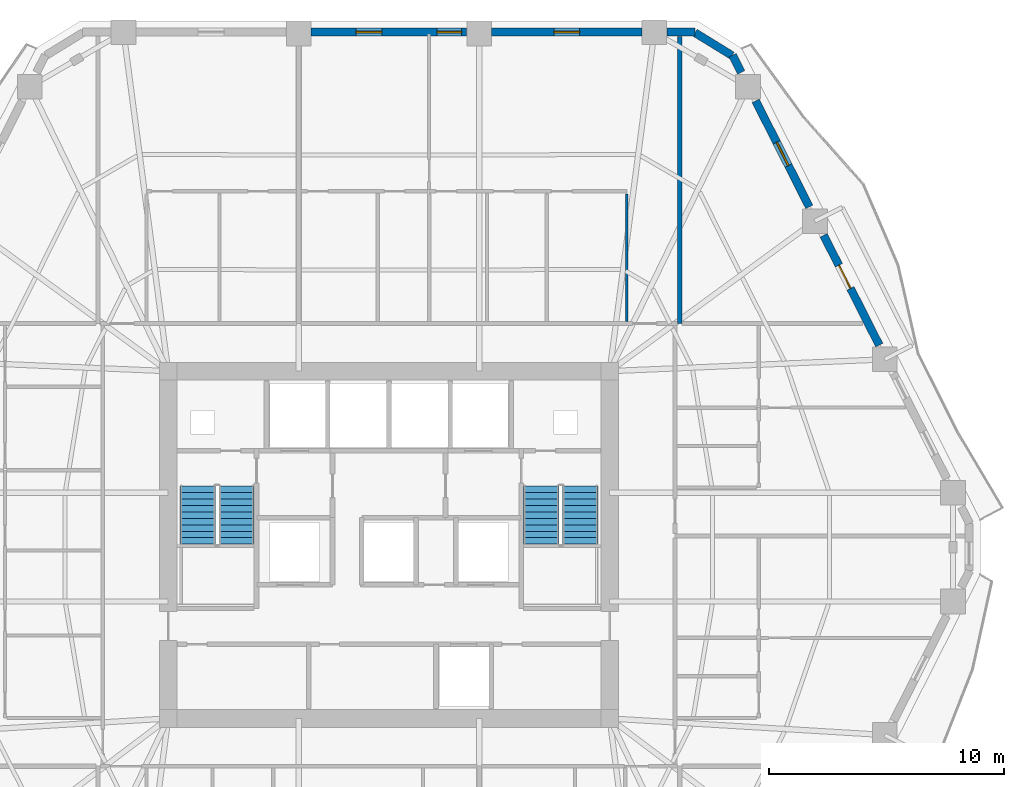
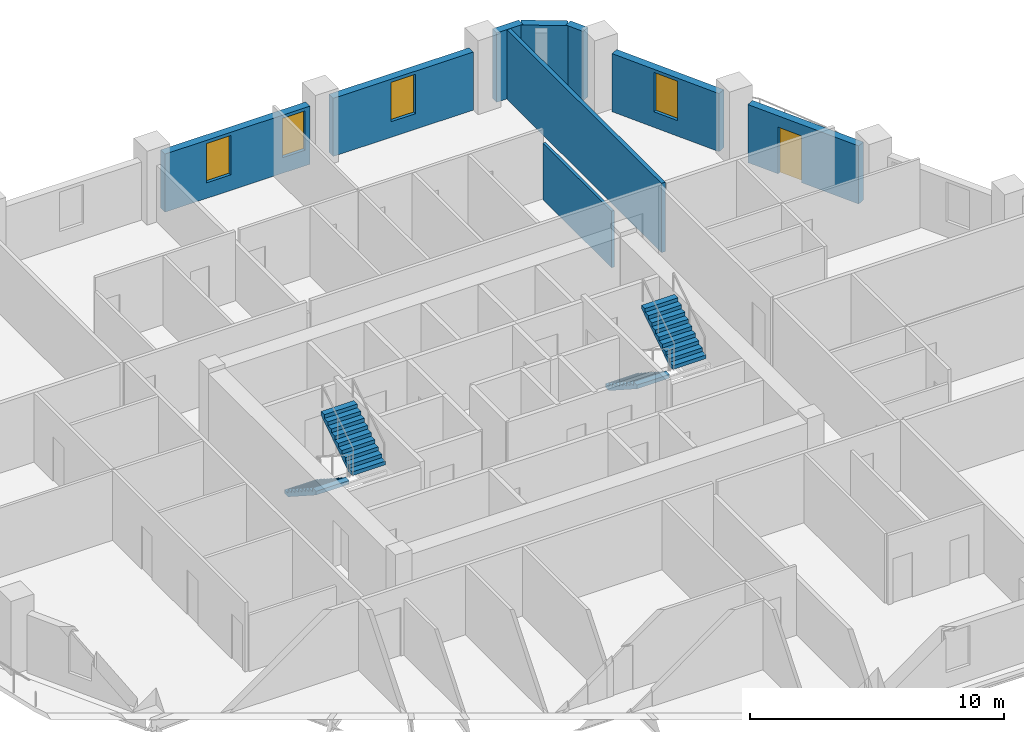
# One storey, part 8 of 11: 9 walls, 4 stair flights, 4 windows, 1 door, 5 openings, 2 elements without a shape of their own.
"""IFC4 building model written with IfcOpenShell, lengths in metres."""

from ifc_helpers import new_model, si_unit, direction, frame, frame_2d, origin, place, context, subcontext, project, spatial, polyline, rectangle, outline, extrude, material, layer, layer_set, type_object, element, fill, aggregate, save


model = new_model("IFC4")

# Units and contexts
model_context = context("Model", 3, precision=1e-05, world=origin(), true_north=direction((0.0, 1.0)))
body_context = subcontext(model_context, "Body", "Model", "MODEL_VIEW")
ifc_project = project(units=[si_unit("LENGTHUNIT", "METRE"), si_unit("AREAUNIT", "SQUARE_METRE"), si_unit("VOLUMEUNIT", "CUBIC_METRE"), si_unit("PLANEANGLEUNIT", "RADIAN"), si_unit("MASSUNIT", "GRAM", prefix="KILO")], contexts=[model_context])

# Site, building, storey
site_placement = place(None, origin())
site = spatial("IfcSite", under=ifc_project, at=site_placement, CompositionType="ELEMENT")
building_placement = place(site_placement, origin())
building = spatial("IfcBuilding", under=site, at=building_placement, Name="Cinnabar Lancet Tower", CompositionType="ELEMENT")
storey_placement = place(building_placement, frame((0.0, 0.0, 101.949951171875)))
storey = spatial("IfcBuildingStorey", under=building, at=storey_placement, Name="L26", CompositionType="ELEMENT", Elevation=101.949951171875)

# Walls
ifc_material_1 = material(Name="Fire-rated twin-frame acoustic drywall", Category="gypsum")
ifc_layer_1 = layer(ifc_material_1, 0.179931640625)
ifc_layer_set_1 = layer_set([ifc_layer_1], Name="Fire-rated twin-frame acoustic drywall")
wall_type_1 = type_object("IfcWallType", Name="ARC-WL-PARTY-180", PredefinedType="PARTITIONING", material=ifc_layer_set_1)
wall_1_placement = place(storey_placement, frame((44.75, 35.300048828125, 0.0), z_axis=(0.0, 0.0, 1.0), x_axis=(0.0, 1.0, 0.0)))
element("IfcWall", 1, at=wall_1_placement, inside=storey, type_object=wall_type_1, Name="PW-L26-NPTY-448", PredefinedType="PARTITIONING", context=body_context, shape_type="SweptSolid", body=[
    extrude(rectangle(XDim=12.195068359375, YDim=0.179931640625, at=frame_2d((6.09765625, 0.0))), origin(), (0.0, 0.0, 1.0), 3.340087890625),
])
ifc_material_2 = material(Name="Gypsum plasterboard stud partition", Category="gypsum")
ifc_layer_2 = layer(ifc_material_2, 0.125)
ifc_layer_set_2 = layer_set([ifc_layer_2], Name="Gypsum plasterboard stud partition")
wall_type_2 = type_object("IfcWallType", Name="ARC-WL-UNIT-125", PredefinedType="PARTITIONING", material=ifc_layer_set_2)
wall_2_placement = place(storey_placement, frame((42.5, 35.385009765625, 0.0), z_axis=(0.0, 0.0, 1.0), x_axis=(0.0, 1.0, 0.0)))
element("IfcWall", 2, at=wall_2_placement, inside=storey, type_object=wall_type_2, Name="UW-L26-N02-FOYW", PredefinedType="PARTITIONING", context=body_context, shape_type="SweptSolid", body=[
    extrude(rectangle(XDim=5.419921875, YDim=0.125, at=frame_2d((2.7099609375, 0.0))), origin(), (0.0, 0.0, 1.0), 2.72216796875),
])
ifc_material_3 = material(Name="Cinnabar red clay brick", Category="masonry")
ifc_layer_3 = layer(ifc_material_3, 0.340087890625)
ifc_layer_set_3 = layer_set([ifc_layer_3], Name="Cinnabar red clay brick")
wall_type_3 = type_object("IfcWallType", Name="ENV-WL-BRK-RED-340", PredefinedType="STANDARD", material=ifc_layer_set_3)
wall_3_placement = place(storey_placement, frame((46.970947265625, 46.677001953125, 0.0), z_axis=(0.0, 0.0, 1.0), x_axis=(-0.851798915137, 0.523868884523, 0.0)))
element("IfcWall", 3, at=wall_3_placement, inside=storey, type_object=wall_type_3, Name="L26 Chamfered Corner Brick Pier 4.1", PredefinedType="STANDARD", context=body_context, shape_type="SweptSolid", body=[
    extrude(rectangle(XDim=1.847900390625, YDim=0.340087890625, at=frame_2d((0.923828125, 0.0))), origin(), (0.0, 0.0, 1.0), 3.340087890625),
])

# Wall, opening, door
wall_4_placement = place(storey_placement, frame((53.219970703125, 34.382080078125, 0.0), z_axis=(0.0, 0.0, 1.0), x_axis=(-0.451567731634, 0.892236842855, 0.0)))
wall_4 = element("IfcWall", 4, at=wall_4_placement, inside=storey, type_object=wall_type_3, Name="L26 Face 3 Masonry Bay Wall 3", PredefinedType="STANDARD", context=body_context, shape_type="SweptSolid", body=[
    extrude(rectangle(XDim=5.219482421875, YDim=0.340087890625, at=frame_2d((2.60986328125, 0.0))), origin(), (0.0, 0.0, 1.0), 2.797119140625),
])
opening_1_placement = place(wall_4_placement, frame((2.698974609375, 0.0, 0.0)))
opening_1 = element("IfcOpeningElement", 5, at=opening_1_placement, cuts=wall_4, Name="Opening TD-01", PredefinedType="OPENING", context=body_context, shape_type="SweptSolid", body=[
    extrude(rectangle(XDim=1.10009765625, YDim=2.25, at=frame_2d((0.550048828125, 1.125))), frame((0.0, 0.179931640625, 0.0), z_axis=(0.0, -1.0, 0.0), x_axis=(1.0, 0.0, 0.0)), (0.0, 0.0, 1.0), 0.360107421875),
])
ifc_material_4 = material(Name="Thermally broken low-E glazed balcony terrace door", Category="wood")
door_type = type_object("IfcDoorType", Name="ARC-DR-BALC", OperationType="NOTDEFINED", PredefinedType="DOOR", material=ifc_material_4)
door_placement = place(opening_1_placement, origin())
door = element("IfcDoor", 6, at=door_placement, inside=storey, type_object=door_type, Name="L26 Face 3 Glazed Terrace Door", OperationType="SINGLE_SWING_RIGHT", OverallHeight=2.25, OverallWidth=1.10009765625, PredefinedType="DOOR", context=body_context, shape_type="SweptSolid", body=[
    extrude(rectangle(XDim=1.10009765625, YDim=2.25, at=frame_2d((0.550048828125, 1.125))), frame((0.0, 0.02490234375, 0.0), z_axis=(0.0, -1.0, 0.0), x_axis=(1.0, 0.0, 0.0)), (0.0, 0.0, 1.0), 0.050048828125),
])
fill(opening_1, door)

# Wall, opening, window
wall_5_placement = place(storey_placement, frame((50.2509765625, 40.2509765625, 0.0), z_axis=(0.0, 0.0, 1.0), x_axis=(-0.451548465867, 0.892246593142, 0.0)))
wall_5 = element("IfcWall", 7, at=wall_5_placement, inside=storey, type_object=wall_type_3, Name="L26 Face 3 Masonry Bay Wall 4", PredefinedType="STANDARD", context=body_context, shape_type="SweptSolid", body=[
    extrude(rectangle(XDim=5.040283203125, YDim=0.340087890625, at=frame_2d((2.52001953125, 0.0))), origin(), (0.0, 0.0, 1.0), 2.797119140625),
])
opening_2_placement = place(wall_5_placement, frame((1.969970703125, 0.0, 0.75)))
opening_2 = element("IfcOpeningElement", 8, at=opening_2_placement, cuts=wall_5, Name="Opening WN-04", PredefinedType="OPENING", context=body_context, shape_type="SweptSolid", body=[
    extrude(rectangle(XDim=1.10009765625, YDim=1.89697265625, at=frame_2d((0.550048828125, 0.948486328125))), frame((0.0, 0.179931640625, 0.0), z_axis=(0.0, -1.0, 0.0), x_axis=(1.0, 0.0, 0.0)), (0.0, 0.0, 1.0), 0.360107421875),
])
ifc_material_5 = material(Name="Thermally broken bronze-anodized aluminium tall lancet window", Category="aluminium")
window_type = type_object("IfcWindowType", Name="ENV-WN-LANCET-1100", PartitioningType="SINGLE_PANEL", PredefinedType="WINDOW", material=ifc_material_5)
window_1_placement = place(opening_2_placement, origin())
window_1 = element("IfcWindow", 9, at=window_1_placement, inside=storey, type_object=window_type, Name="L26 Face 3 Gothic Lancet Window 4", OverallHeight=1.89697265625, OverallWidth=1.10009765625, PartitioningType="SINGLE_PANEL", PredefinedType="WINDOW", context=body_context, shape_type="SweptSolid", body=[
    extrude(rectangle(XDim=1.10009765625, YDim=1.89697265625, at=frame_2d((0.550048828125, 0.948486328125))), frame((0.0, 0.030029296875, 0.0), z_axis=(0.0, -1.0, 0.0), x_axis=(1.0, 0.0, 0.0)), (0.0, 0.0, 1.0), 0.06005859375),
])
fill(opening_2, window_1)

# Walls
wall_6_placement = place(storey_placement, frame((47.362060546875, 45.9599609375, 0.0), z_axis=(0.0, 0.0, 1.0), x_axis=(-0.45160540153, 0.89221777684, 0.0)))
element("IfcWall", 10, at=wall_6_placement, inside=storey, type_object=wall_type_3, Name="L26 Face 3 Masonry Bay Wall 5", PredefinedType="STANDARD", context=body_context, shape_type="SweptSolid", body=[
    extrude(rectangle(XDim=0.82177734375, YDim=0.340087890625, at=frame_2d((0.410888671875, 0.0))), origin(), (0.0, 0.0, 1.0), 3.340087890625),
])
wall_7_placement = place(storey_placement, frame((45.402099609375, 47.669921875, 0.0), z_axis=(0.0, 0.0, 1.0), x_axis=(-1.0, 0.0, 0.0)))
element("IfcWall", 11, at=wall_7_placement, inside=storey, type_object=wall_type_3, Name="L26 Face 4 Masonry Bay Wall 1", PredefinedType="STANDARD", context=body_context, shape_type="SweptSolid", body=[
    extrude(rectangle(XDim=1.2041015625, YDim=0.340087890625, at=frame_2d((0.60205078125, 0.0))), origin(), (0.0, 0.0, 1.0), 3.340087890625),
])

# Wall, opening, window
wall_8_placement = place(storey_placement, frame((43.139892578125, 47.669921875, 0.0), z_axis=(0.0, 0.0, 1.0), x_axis=(-1.0, 0.0, 0.0)))
wall_8 = element("IfcWall", 12, at=wall_8_placement, inside=storey, type_object=wall_type_3, Name="L26 Face 4 Masonry Bay Wall 2", PredefinedType="STANDARD", context=body_context, shape_type="SweptSolid", body=[
    extrude(rectangle(XDim=6.37890625, YDim=0.340087890625, at=frame_2d((3.189453125, 0.0))), origin(), (0.0, 0.0, 1.0), 2.797119140625),
])
opening_3_placement = place(wall_8_placement, frame((2.638916015625, 0.0, 0.75)))
opening_3 = element("IfcOpeningElement", 13, at=opening_3_placement, cuts=wall_8, Name="Opening WN-04", PredefinedType="OPENING", context=body_context, shape_type="SweptSolid", body=[
    extrude(rectangle(XDim=1.10009765625, YDim=1.89697265625, at=frame_2d((0.550048828125, 0.948486328125))), frame((0.0, 0.179931640625, 0.0), z_axis=(0.0, -1.0, 0.0), x_axis=(1.0, 0.0, 0.0)), (0.0, 0.0, 1.0), 0.360107421875),
])
window_2_placement = place(opening_3_placement, origin())
window_2 = element("IfcWindow", 14, at=window_2_placement, inside=storey, type_object=window_type, Name="L26 Face 4 Gothic Lancet Window 2", OverallHeight=1.89697265625, OverallWidth=1.10009765625, PartitioningType="SINGLE_PANEL", PredefinedType="WINDOW", context=body_context, shape_type="SweptSolid", body=[
    extrude(rectangle(XDim=1.10009765625, YDim=1.89697265625, at=frame_2d((0.550048828125, 0.948486328125))), frame((0.0, 0.030029296875, 0.0), z_axis=(0.0, -1.0, 0.0), x_axis=(1.0, 0.0, 0.0)), (0.0, 0.0, 1.0), 0.06005859375),
])
fill(opening_3, window_2)

# Wall, openings, windows
wall_9_placement = place(storey_placement, frame((35.702880859375, 47.669921875, 0.0), z_axis=(0.0, 0.0, 1.0), x_axis=(-1.0, 0.0, 0.0)))
wall_9 = element("IfcWall", 15, at=wall_9_placement, inside=storey, type_object=wall_type_3, Name="L26 Face 4 Masonry Bay Wall 3", PredefinedType="STANDARD", context=body_context, shape_type="SweptSolid", body=[
    extrude(rectangle(XDim=6.60595703125, YDim=0.340087890625, at=frame_2d((3.302978515625, 0.0))), origin(), (0.0, 0.0, 1.0), 2.797119140625),
])
opening_4_placement = place(wall_9_placement, frame((0.219970703125, 0.0, 0.75)))
opening_4 = element("IfcOpeningElement", 16, at=opening_4_placement, cuts=wall_9, Name="Opening WN-04", PredefinedType="OPENING", context=body_context, shape_type="SweptSolid", body=[
    extrude(rectangle(XDim=1.0400390625, YDim=1.89697265625, at=frame_2d((0.52001953125, 0.948486328125))), frame((0.0, 0.179931640625, 0.0), z_axis=(0.0, -1.0, 0.0), x_axis=(1.0, 0.0, 0.0)), (0.0, 0.0, 1.0), 0.360107421875),
])
opening_5_placement = place(wall_9_placement, frame((3.60498046875, 0.0, 0.75)))
opening_5 = element("IfcOpeningElement", 17, at=opening_5_placement, cuts=wall_9, Name="Opening WN-04", PredefinedType="OPENING", context=body_context, shape_type="SweptSolid", body=[
    extrude(rectangle(XDim=1.10009765625, YDim=1.89697265625, at=frame_2d((0.550048828125, 0.948486328125))), frame((0.0, 0.179931640625, 0.0), z_axis=(0.0, -1.0, 0.0), x_axis=(1.0, 0.0, 0.0)), (0.0, 0.0, 1.0), 0.360107421875),
])
window_3_placement = place(opening_4_placement, origin())
window_3 = element("IfcWindow", 18, at=window_3_placement, inside=storey, type_object=window_type, Name="L26 Face 4 Gothic Lancet Window 3", OverallHeight=1.89697265625, OverallWidth=1.0400390625, PartitioningType="SINGLE_PANEL", PredefinedType="WINDOW", context=body_context, shape_type="SweptSolid", body=[
    extrude(rectangle(XDim=1.0400390625, YDim=1.89697265625, at=frame_2d((0.52001953125, 0.948486328125))), frame((0.0, 0.030029296875, 0.0), z_axis=(0.0, -1.0, 0.0), x_axis=(1.0, 0.0, 0.0)), (0.0, 0.0, 1.0), 0.06005859375),
])
fill(opening_4, window_3)
window_4_placement = place(opening_5_placement, origin())
window_4 = element("IfcWindow", 19, at=window_4_placement, inside=storey, type_object=window_type, Name="L26 Split-Bay Gothic Lancet Window 87", OverallHeight=1.89697265625, OverallWidth=1.10009765625, PartitioningType="SINGLE_PANEL", PredefinedType="WINDOW", context=body_context, shape_type="SweptSolid", body=[
    extrude(rectangle(XDim=1.10009765625, YDim=1.89697265625, at=frame_2d((0.550048828125, 0.948486328125))), frame((0.0, 0.030029296875, 0.0), z_axis=(0.0, -1.0, 0.0), x_axis=(1.0, 0.0, 0.0)), (0.0, 0.0, 1.0), 0.06005859375),
])
fill(opening_5, window_4)

# Stair, stair flights
ifc_material_6 = material(Name="Concrete C40/50", Category="concrete")
stair_type = type_object("IfcStairType", Name="ST-CORE", PredefinedType="HALF_TURN_STAIR", material=ifc_material_6)
stair_1_placement = place(storey_placement, origin())
stair_1 = element("IfcStair", 20, at=stair_1_placement, inside=storey, type_object=stair_type, Name="L26 ST-1", PredefinedType="HALF_TURN_STAIR")
ifc_material_7 = material(Name="Concrete C40/50", Category="concrete")
stair_flight_type = type_object("IfcStairFlightType", Name="FLIGHT-CORE", PredefinedType="STRAIGHT", material=ifc_material_7)
stair_flight_1_placement = place(storey_placement, frame((24.27490234375, 28.39990234375, 0.0), z_axis=(0.0, 0.0, 1.0), x_axis=(0.0, -1.0, 0.0)))
stair_flight_1 = element("IfcStairFlight", 21, at=stair_flight_1_placement, type_object=stair_flight_type, Name="ST-1 flight 1", NumberOfRisers=10, NumberOfTreads=9, PredefinedType="STRAIGHT", RiserHeight=0.1775, TreadLength=0.275, context=body_context, shape_type="SweptSolid", body=[
    extrude(outline(polyline([(0.0, 0.0), (0.0, 0.177490234375), (0.27490234375, 0.177490234375), (0.27490234375, 0.35498046875), (0.550048828125, 0.35498046875), (0.550048828125, 0.532470703125), (0.824951171875, 0.532470703125), (0.824951171875, 0.7099609375), (1.10009765625, 0.7099609375), (1.10009765625, 0.887451171875), (1.375, 0.887451171875), (1.375, 1.06494140625), (1.64990234375, 1.06494140625), (1.64990234375, 1.242431640625), (1.925048828125, 1.242431640625), (1.925048828125, 1.419921875), (2.199951171875, 1.419921875), (2.199951171875, 1.597412109375), (2.47509765625, 1.597412109375), (2.47509765625, 1.77490234375), (2.47509765625, 1.419189453125), (0.2763671875, 0.0), (0.0, 0.0)])), frame((0.0, 0.75, 0.0), z_axis=(0.0, -1.0, 0.0), x_axis=(1.0, 0.0, 0.0)), (0.0, 0.0, 1.0), 1.5),
])
stair_flight_2_placement = place(storey_placement, frame((25.925048828125, 25.925048828125, 1.775146484375), z_axis=(0.0, 0.0, 1.0), x_axis=(0.0, 1.0, 0.0)))
stair_flight_2 = element("IfcStairFlight", 22, at=stair_flight_2_placement, type_object=stair_flight_type, Name="ST-1 flight 2", NumberOfRisers=10, NumberOfTreads=9, PredefinedType="STRAIGHT", RiserHeight=0.1775, TreadLength=0.275, context=body_context, shape_type="SweptSolid", body=[
    extrude(outline(polyline([(0.0, 0.0), (0.0, 0.177490234375), (0.27490234375, 0.177490234375), (0.27490234375, 0.35498046875), (0.550048828125, 0.35498046875), (0.550048828125, 0.532470703125), (0.824951171875, 0.532470703125), (0.824951171875, 0.7099609375), (1.10009765625, 0.7099609375), (1.10009765625, 0.887451171875), (1.375, 0.887451171875), (1.375, 1.06494140625), (1.64990234375, 1.06494140625), (1.64990234375, 1.242431640625), (1.925048828125, 1.242431640625), (1.925048828125, 1.419921875), (2.199951171875, 1.419921875), (2.199951171875, 1.597412109375), (2.47509765625, 1.597412109375), (2.47509765625, 1.77490234375), (2.47509765625, 1.419189453125), (0.2763671875, 0.0), (0.0, 0.0)])), frame((0.0, 0.75, 0.0), z_axis=(0.0, -1.0, 0.0), x_axis=(1.0, 0.0, 0.0)), (0.0, 0.0, 1.0), 1.5),
])
aggregate(stair_1, [stair_flight_1, stair_flight_2])

stair_2_placement = place(storey_placement, origin())
stair_2 = element("IfcStair", 23, at=stair_2_placement, inside=storey, type_object=stair_type, Name="L26 ST-2", PredefinedType="HALF_TURN_STAIR")
stair_flight_3_placement = place(storey_placement, frame((38.875, 28.39990234375, 0.0), z_axis=(0.0, 0.0, 1.0), x_axis=(0.0, -1.0, 0.0)))
stair_flight_3 = element("IfcStairFlight", 24, at=stair_flight_3_placement, type_object=stair_flight_type, Name="ST-2 flight 1", NumberOfRisers=10, NumberOfTreads=9, PredefinedType="STRAIGHT", RiserHeight=0.1775, TreadLength=0.275, context=body_context, shape_type="SweptSolid", body=[
    extrude(outline(polyline([(0.0, 0.0), (0.0, 0.177490234375), (0.27490234375, 0.177490234375), (0.27490234375, 0.35498046875), (0.550048828125, 0.35498046875), (0.550048828125, 0.532470703125), (0.824951171875, 0.532470703125), (0.824951171875, 0.7099609375), (1.10009765625, 0.7099609375), (1.10009765625, 0.887451171875), (1.375, 0.887451171875), (1.375, 1.06494140625), (1.64990234375, 1.06494140625), (1.64990234375, 1.242431640625), (1.925048828125, 1.242431640625), (1.925048828125, 1.419921875), (2.199951171875, 1.419921875), (2.199951171875, 1.597412109375), (2.47509765625, 1.597412109375), (2.47509765625, 1.77490234375), (2.47509765625, 1.419189453125), (0.2763671875, 0.0), (0.0, 0.0)])), frame((0.0, 0.75, 0.0), z_axis=(0.0, -1.0, 0.0), x_axis=(1.0, 0.0, 0.0)), (0.0, 0.0, 1.0), 1.5),
])
stair_flight_4_placement = place(storey_placement, frame((40.52490234375, 25.925048828125, 1.775146484375), z_axis=(0.0, 0.0, 1.0), x_axis=(0.0, 1.0, 0.0)))
stair_flight_4 = element("IfcStairFlight", 25, at=stair_flight_4_placement, type_object=stair_flight_type, Name="ST-2 flight 2", NumberOfRisers=10, NumberOfTreads=9, PredefinedType="STRAIGHT", RiserHeight=0.1775, TreadLength=0.275, context=body_context, shape_type="SweptSolid", body=[
    extrude(outline(polyline([(0.0, 0.0), (0.0, 0.177490234375), (0.27490234375, 0.177490234375), (0.27490234375, 0.35498046875), (0.550048828125, 0.35498046875), (0.550048828125, 0.532470703125), (0.824951171875, 0.532470703125), (0.824951171875, 0.7099609375), (1.10009765625, 0.7099609375), (1.10009765625, 0.887451171875), (1.375, 0.887451171875), (1.375, 1.06494140625), (1.64990234375, 1.06494140625), (1.64990234375, 1.242431640625), (1.925048828125, 1.242431640625), (1.925048828125, 1.419921875), (2.199951171875, 1.419921875), (2.199951171875, 1.597412109375), (2.47509765625, 1.597412109375), (2.47509765625, 1.77490234375), (2.47509765625, 1.419189453125), (0.2763671875, 0.0), (0.0, 0.0)])), frame((0.0, 0.75, 0.0), z_axis=(0.0, -1.0, 0.0), x_axis=(1.0, 0.0, 0.0)), (0.0, 0.0, 1.0), 1.5),
])
aggregate(stair_2, [stair_flight_3, stair_flight_4])

save(model, "model.ifc")
